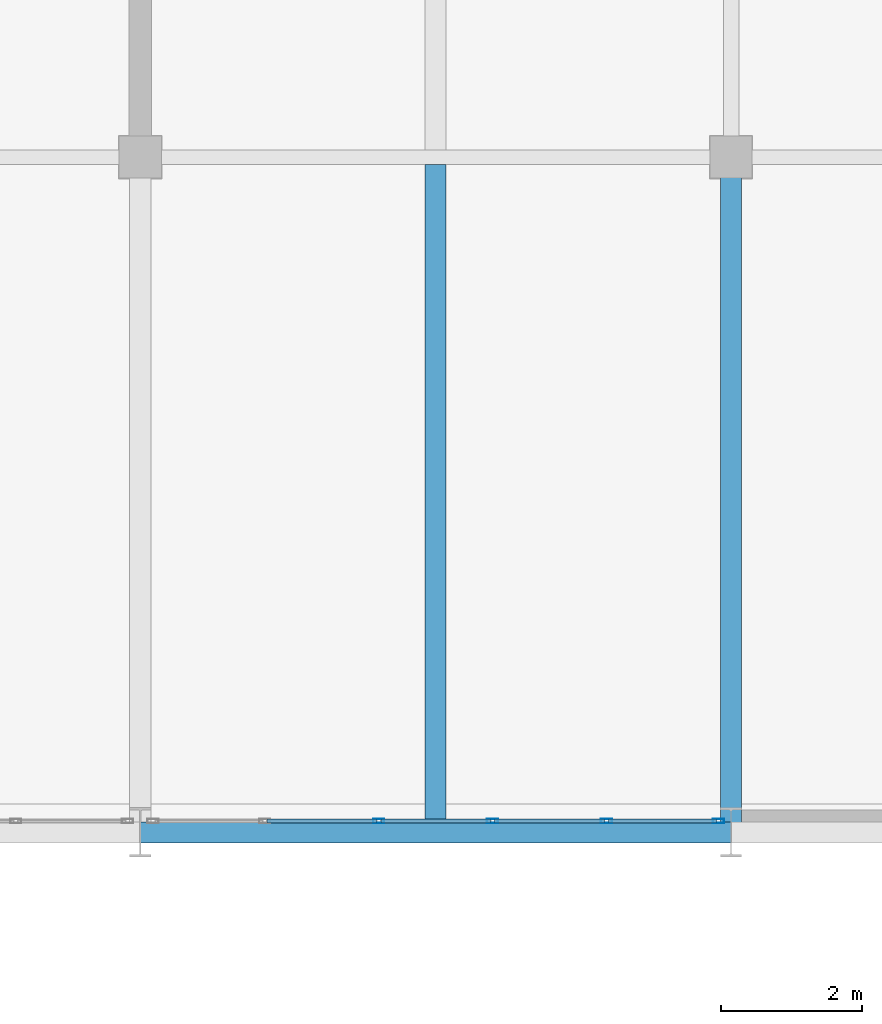
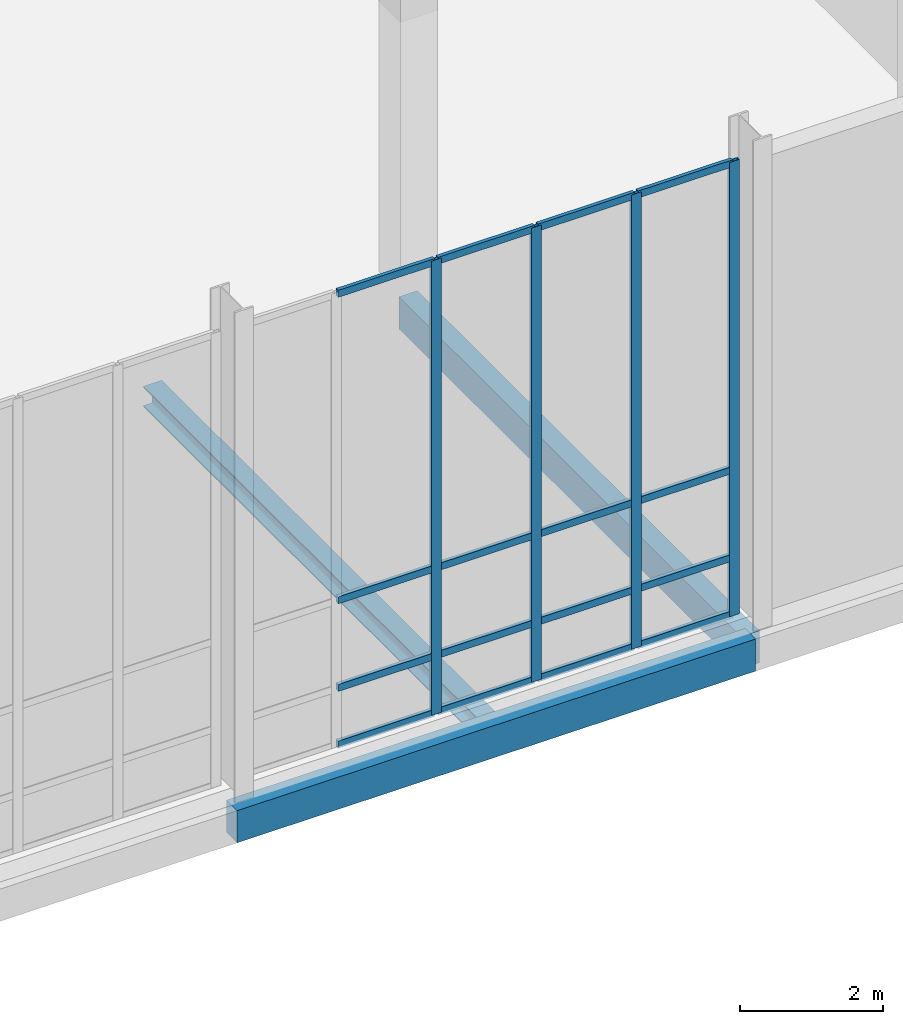
# One storey, part 82 of 131: 20 members, 3 beams, 1 element without a shape of its own.
"""IFC4 building model written with IfcOpenShell, lengths in metres."""

from ifc_helpers import new_model, si_unit, direction, frame, origin, origin_2d, place, context, subcontext, project, spatial, rectangle, hollow_rectangle, i_section, extrude, material, material_profile, profile_set, type_object, element, aggregate, save


model = new_model("IFC4")

# Units and contexts
model_context = context("Model", 3, precision=1e-05, world=origin(), true_north=direction((0.0, 1.0)))
body_context = subcontext(model_context, "Body", "Model", "MODEL_VIEW")
ifc_project = project(units=[si_unit("LENGTHUNIT", "METRE"), si_unit("AREAUNIT", "SQUARE_METRE"), si_unit("VOLUMEUNIT", "CUBIC_METRE"), si_unit("PLANEANGLEUNIT", "RADIAN"), si_unit("MASSUNIT", "GRAM", prefix="KILO")], contexts=[model_context])

# Site, building, storey
site_placement = place(None, origin())
site = spatial("IfcSite", under=ifc_project, at=site_placement, CompositionType="ELEMENT")
building_placement = place(site_placement, origin())
building = spatial("IfcBuilding", under=site, at=building_placement, Name="Veltarok Museum of Natural Sciences", CompositionType="ELEMENT")
storey_placement = place(building_placement, origin())
storey = spatial("IfcBuildingStorey", under=building, at=storey_placement, Name="L00", CompositionType="ELEMENT", Elevation=0.0)

# Curtain wall, members
ifc_material_1 = material(Name="Low-iron triple insulated glass", Category="glass")
curtain_wall_type = type_object("IfcCurtainWallType", Name="Curtain Wall System CW-V5S-L00-16-810x778 (V5 South Lab Curtain Wall L00 16-17 810x778cm)", PredefinedType="NOTDEFINED", material=ifc_material_1)
curtain_wall_placement = place(storey_placement, origin())
curtain_wall = element("IfcCurtainWall", 1, at=curtain_wall_placement, inside=storey, type_object=curtain_wall_type, Name="Curtain Wall CW-V5S-L00-16-810x778 CW-0087", PredefinedType="NOTDEFINED")
ifc_material_2 = material(Name="Thermally broken anodised aluminium", Category="aluminium")
ifc_material_profile_1 = material_profile(ifc_material_2, hollow_rectangle(XDim=0.06005859375, YDim=0.1201171875, WallThickness=0.0048828125, at=origin_2d()), Name="CW TRANSOM 60x120x5")
ifc_profile_set_1 = profile_set([ifc_material_profile_1], Name="Thermally broken anodised aluminium")
member_type_1 = type_object("IfcMemberType", Name="Curtain Wall Horizontal Transom 60x120x5", PredefinedType="USERDEFINED", material=ifc_profile_set_1)
member_1_placement = place(storey_placement, frame((134.199951171875, 0.159912109375, 0.030029296875), z_axis=(1.0, 0.0, 0.0), x_axis=(0.0, 1.0, 0.0)))
member_1 = element("IfcMember", 2, at=member_1_placement, type_object=member_type_1, Name="CW-V5S-L00-16-810x778 transom 2.1", ObjectType="TRANSOM", PredefinedType="USERDEFINED", context=body_context, shape_type="SweptSolid", body=[
    extrude(hollow_rectangle(XDim=0.06005859375, YDim=0.1201171875, WallThickness=0.0048828125, at=origin_2d()), origin(), (0.0, 0.0, 1.0), 1.56005859375),
])
member_2_placement = place(storey_placement, frame((134.199951171875, 0.159912109375, 1.0), z_axis=(1.0, 0.0, 0.0), x_axis=(0.0, 1.0, 0.0)))
member_2 = element("IfcMember", 3, at=member_2_placement, type_object=member_type_1, Name="CW-V5S-L00-16-810x778 transom 2.2", ObjectType="TRANSOM", PredefinedType="USERDEFINED", context=body_context, shape_type="SweptSolid", body=[
    extrude(hollow_rectangle(XDim=0.06005859375, YDim=0.1201171875, WallThickness=0.0048828125, at=origin_2d()), origin(), (0.0, 0.0, 1.0), 1.56005859375),
])
member_3_placement = place(storey_placement, frame((134.199951171875, 0.159912109375, 2.5), z_axis=(1.0, 0.0, 0.0), x_axis=(0.0, 1.0, 0.0)))
member_3 = element("IfcMember", 4, at=member_3_placement, type_object=member_type_1, Name="CW-V5S-L00-16-810x778 transom 2.3", ObjectType="TRANSOM", PredefinedType="USERDEFINED", context=body_context, shape_type="SweptSolid", body=[
    extrude(hollow_rectangle(XDim=0.06005859375, YDim=0.1201171875, WallThickness=0.0048828125, at=origin_2d()), origin(), (0.0, 0.0, 1.0), 1.56005859375),
])
member_4_placement = place(storey_placement, frame((134.199951171875, 0.159912109375, 7.75), z_axis=(1.0, 0.0, 0.0), x_axis=(0.0, 1.0, 0.0)))
member_4 = element("IfcMember", 5, at=member_4_placement, type_object=member_type_1, Name="CW-V5S-L00-16-810x778 transom 2.4", ObjectType="TRANSOM", PredefinedType="USERDEFINED", context=body_context, shape_type="SweptSolid", body=[
    extrude(hollow_rectangle(XDim=0.06005859375, YDim=0.1201171875, WallThickness=0.0048828125, at=origin_2d()), origin(), (0.0, 0.0, 1.0), 1.56005859375),
])
member_5_placement = place(storey_placement, frame((135.820068359375, 0.159912109375, 0.030029296875), z_axis=(1.0, 0.0, 0.0), x_axis=(0.0, 1.0, 0.0)))
member_5 = element("IfcMember", 6, at=member_5_placement, type_object=member_type_1, Name="CW-V5S-L00-16-810x778 transom 3.1", ObjectType="TRANSOM", PredefinedType="USERDEFINED", context=body_context, shape_type="SweptSolid", body=[
    extrude(hollow_rectangle(XDim=0.06005859375, YDim=0.1201171875, WallThickness=0.0048828125, at=origin_2d()), origin(), (0.0, 0.0, 1.0), 1.559814453125),
])
member_6_placement = place(storey_placement, frame((135.820068359375, 0.159912109375, 1.0), z_axis=(1.0, 0.0, 0.0), x_axis=(0.0, 1.0, 0.0)))
member_6 = element("IfcMember", 7, at=member_6_placement, type_object=member_type_1, Name="CW-V5S-L00-16-810x778 transom 3.2", ObjectType="TRANSOM", PredefinedType="USERDEFINED", context=body_context, shape_type="SweptSolid", body=[
    extrude(hollow_rectangle(XDim=0.06005859375, YDim=0.1201171875, WallThickness=0.0048828125, at=origin_2d()), origin(), (0.0, 0.0, 1.0), 1.559814453125),
])
member_7_placement = place(storey_placement, frame((135.820068359375, 0.159912109375, 2.5), z_axis=(1.0, 0.0, 0.0), x_axis=(0.0, 1.0, 0.0)))
member_7 = element("IfcMember", 8, at=member_7_placement, type_object=member_type_1, Name="CW-V5S-L00-16-810x778 transom 3.3", ObjectType="TRANSOM", PredefinedType="USERDEFINED", context=body_context, shape_type="SweptSolid", body=[
    extrude(hollow_rectangle(XDim=0.06005859375, YDim=0.1201171875, WallThickness=0.0048828125, at=origin_2d()), origin(), (0.0, 0.0, 1.0), 1.559814453125),
])
member_8_placement = place(storey_placement, frame((135.820068359375, 0.159912109375, 7.75), z_axis=(1.0, 0.0, 0.0), x_axis=(0.0, 1.0, 0.0)))
member_8 = element("IfcMember", 9, at=member_8_placement, type_object=member_type_1, Name="CW-V5S-L00-16-810x778 transom 3.4", ObjectType="TRANSOM", PredefinedType="USERDEFINED", context=body_context, shape_type="SweptSolid", body=[
    extrude(hollow_rectangle(XDim=0.06005859375, YDim=0.1201171875, WallThickness=0.0048828125, at=origin_2d()), origin(), (0.0, 0.0, 1.0), 1.559814453125),
])
member_9_placement = place(storey_placement, frame((137.43994140625, 0.159912109375, 0.030029296875), z_axis=(1.0, 0.0, 0.0), x_axis=(0.0, 1.0, 0.0)))
member_9 = element("IfcMember", 10, at=member_9_placement, type_object=member_type_1, Name="CW-V5S-L00-16-810x778 transom 4.1", ObjectType="TRANSOM", PredefinedType="USERDEFINED", context=body_context, shape_type="SweptSolid", body=[
    extrude(hollow_rectangle(XDim=0.06005859375, YDim=0.1201171875, WallThickness=0.0048828125, at=origin_2d()), origin(), (0.0, 0.0, 1.0), 1.56005859375),
])
member_10_placement = place(storey_placement, frame((137.43994140625, 0.159912109375, 1.0), z_axis=(1.0, 0.0, 0.0), x_axis=(0.0, 1.0, 0.0)))
member_10 = element("IfcMember", 11, at=member_10_placement, type_object=member_type_1, Name="CW-V5S-L00-16-810x778 transom 4.2", ObjectType="TRANSOM", PredefinedType="USERDEFINED", context=body_context, shape_type="SweptSolid", body=[
    extrude(hollow_rectangle(XDim=0.06005859375, YDim=0.1201171875, WallThickness=0.0048828125, at=origin_2d()), origin(), (0.0, 0.0, 1.0), 1.56005859375),
])
member_11_placement = place(storey_placement, frame((137.43994140625, 0.159912109375, 2.5), z_axis=(1.0, 0.0, 0.0), x_axis=(0.0, 1.0, 0.0)))
member_11 = element("IfcMember", 12, at=member_11_placement, type_object=member_type_1, Name="CW-V5S-L00-16-810x778 transom 4.3", ObjectType="TRANSOM", PredefinedType="USERDEFINED", context=body_context, shape_type="SweptSolid", body=[
    extrude(hollow_rectangle(XDim=0.06005859375, YDim=0.1201171875, WallThickness=0.0048828125, at=origin_2d()), origin(), (0.0, 0.0, 1.0), 1.56005859375),
])
member_12_placement = place(storey_placement, frame((137.43994140625, 0.159912109375, 7.75), z_axis=(1.0, 0.0, 0.0), x_axis=(0.0, 1.0, 0.0)))
member_12 = element("IfcMember", 13, at=member_12_placement, type_object=member_type_1, Name="CW-V5S-L00-16-810x778 transom 4.4", ObjectType="TRANSOM", PredefinedType="USERDEFINED", context=body_context, shape_type="SweptSolid", body=[
    extrude(hollow_rectangle(XDim=0.06005859375, YDim=0.1201171875, WallThickness=0.0048828125, at=origin_2d()), origin(), (0.0, 0.0, 1.0), 1.56005859375),
])
member_13_placement = place(storey_placement, frame((139.06005859375, 0.159912109375, 0.030029296875), z_axis=(1.0, 0.0, 0.0), x_axis=(0.0, 1.0, 0.0)))
member_13 = element("IfcMember", 14, at=member_13_placement, type_object=member_type_1, Name="CW-V5S-L00-16-810x778 transom 5.1", ObjectType="TRANSOM", PredefinedType="USERDEFINED", context=body_context, shape_type="SweptSolid", body=[
    extrude(hollow_rectangle(XDim=0.06005859375, YDim=0.1201171875, WallThickness=0.0048828125, at=origin_2d()), origin(), (0.0, 0.0, 1.0), 1.530029296875),
])
member_14_placement = place(storey_placement, frame((139.06005859375, 0.159912109375, 1.0), z_axis=(1.0, 0.0, 0.0), x_axis=(0.0, 1.0, 0.0)))
member_14 = element("IfcMember", 15, at=member_14_placement, type_object=member_type_1, Name="CW-V5S-L00-16-810x778 transom 5.2", ObjectType="TRANSOM", PredefinedType="USERDEFINED", context=body_context, shape_type="SweptSolid", body=[
    extrude(hollow_rectangle(XDim=0.06005859375, YDim=0.1201171875, WallThickness=0.0048828125, at=origin_2d()), origin(), (0.0, 0.0, 1.0), 1.530029296875),
])
member_15_placement = place(storey_placement, frame((139.06005859375, 0.159912109375, 2.5), z_axis=(1.0, 0.0, 0.0), x_axis=(0.0, 1.0, 0.0)))
member_15 = element("IfcMember", 16, at=member_15_placement, type_object=member_type_1, Name="CW-V5S-L00-16-810x778 transom 5.3", ObjectType="TRANSOM", PredefinedType="USERDEFINED", context=body_context, shape_type="SweptSolid", body=[
    extrude(hollow_rectangle(XDim=0.06005859375, YDim=0.1201171875, WallThickness=0.0048828125, at=origin_2d()), origin(), (0.0, 0.0, 1.0), 1.530029296875),
])
member_16_placement = place(storey_placement, frame((139.06005859375, 0.159912109375, 7.75), z_axis=(1.0, 0.0, 0.0), x_axis=(0.0, 1.0, 0.0)))
member_16 = element("IfcMember", 17, at=member_16_placement, type_object=member_type_1, Name="CW-V5S-L00-16-810x778 transom 5.4", ObjectType="TRANSOM", PredefinedType="USERDEFINED", context=body_context, shape_type="SweptSolid", body=[
    extrude(hollow_rectangle(XDim=0.06005859375, YDim=0.1201171875, WallThickness=0.0048828125, at=origin_2d()), origin(), (0.0, 0.0, 1.0), 1.530029296875),
])
ifc_material_profile_2 = material_profile(ifc_material_2, hollow_rectangle(XDim=0.06005859375, YDim=0.159912109375, WallThickness=0.0048828125, at=origin_2d()), Name="CW MULLION 60x160x5")
ifc_profile_set_2 = profile_set([ifc_material_profile_2], Name="Thermally broken anodised aluminium")
member_type_2 = type_object("IfcMemberType", Name="Curtain Wall Vertical Mullion 60x160x5", PredefinedType="MULLION", material=ifc_profile_set_2)
member_17_placement = place(storey_placement, frame((135.7900390625, 0.159912109375, 0.0), z_axis=(0.0, 0.0, 1.0), x_axis=(0.0, 1.0, 0.0)))
member_17 = element("IfcMember", 18, at=member_17_placement, type_object=member_type_2, Name="CW-V5S-L00-16-810x778 mullion 3", PredefinedType="MULLION", context=body_context, shape_type="SweptSolid", body=[
    extrude(hollow_rectangle(XDim=0.06005859375, YDim=0.159912109375, WallThickness=0.0048828125, at=origin_2d()), origin(), (0.0, 0.0, 1.0), 7.780029296875),
])
member_18_placement = place(storey_placement, frame((137.409912109375, 0.159912109375, 0.0), z_axis=(0.0, 0.0, 1.0), x_axis=(0.0, 1.0, 0.0)))
member_18 = element("IfcMember", 19, at=member_18_placement, type_object=member_type_2, Name="CW-V5S-L00-16-810x778 mullion 4", PredefinedType="MULLION", context=body_context, shape_type="SweptSolid", body=[
    extrude(hollow_rectangle(XDim=0.06005859375, YDim=0.159912109375, WallThickness=0.0048828125, at=origin_2d()), origin(), (0.0, 0.0, 1.0), 7.780029296875),
])
member_19_placement = place(storey_placement, frame((139.030029296875, 0.159912109375, 0.0), z_axis=(0.0, 0.0, 1.0), x_axis=(0.0, 1.0, 0.0)))
member_19 = element("IfcMember", 20, at=member_19_placement, type_object=member_type_2, Name="CW-V5S-L00-16-810x778 mullion 5", PredefinedType="MULLION", context=body_context, shape_type="SweptSolid", body=[
    extrude(hollow_rectangle(XDim=0.06005859375, YDim=0.159912109375, WallThickness=0.0048828125, at=origin_2d()), origin(), (0.0, 0.0, 1.0), 7.780029296875),
])
member_20_placement = place(storey_placement, frame((140.6201171875, 0.159912109375, 0.0), z_axis=(0.0, 0.0, 1.0), x_axis=(0.0, 1.0, 0.0)))
member_20 = element("IfcMember", 21, at=member_20_placement, type_object=member_type_2, Name="CW-V5S-L00-16-810x778 mullion 6", PredefinedType="MULLION", context=body_context, shape_type="SweptSolid", body=[
    extrude(hollow_rectangle(XDim=0.06005859375, YDim=0.159912109375, WallThickness=0.0048828125, at=origin_2d()), origin(), (0.0, 0.0, 1.0), 7.780029296875),
])
aggregate(curtain_wall, [member_17, member_18, member_19, member_20, member_1, member_2, member_3, member_4, member_5, member_6, member_7, member_8, member_9, member_10, member_11, member_12, member_13, member_14, member_15, member_16])

# Beams
ifc_material_3 = material(Name="Precast concrete C40/50", Category="concrete")
ifc_material_profile_3 = material_profile(ifc_material_3, rectangle(XDim=0.300048828125, YDim=0.550048828125, at=origin_2d()), Name="RC 300x550")
ifc_profile_set_3 = profile_set([ifc_material_profile_3], Name="Precast concrete C40/50")
beam_type_1 = type_object("IfcBeamType", Name="East Wing Precast Spandrel RC 300x550", PredefinedType="SPANDREL", material=ifc_profile_set_3)
beam_1_placement = place(storey_placement, frame((132.39990234375, 0.0, -0.574951171875), z_axis=(1.0, 0.0, 0.0), x_axis=(0.0, 1.0, 0.0)))
element("IfcBeam", 22, at=beam_1_placement, inside=storey, type_object=beam_type_1, Name="Beam BM-SP02 L00 16-17/A", PredefinedType="SPANDREL", context=body_context, shape_type="SweptSolid", body=[
    extrude(rectangle(XDim=0.300048828125, YDim=0.550048828125, at=origin_2d()), origin(), (0.0, 0.0, 1.0), 8.400146484375),
])
beam_2_placement = place(storey_placement, frame((140.800048828125, 0.0, -0.574951171875), z_axis=(0.0, 1.0, 0.0), x_axis=(-1.0, 0.0, 0.0)))
element("IfcBeam", 23, at=beam_2_placement, inside=storey, type_object=beam_type_1, Name="Beam BM-SP02 L00 17/A-B", PredefinedType="SPANDREL", context=body_context, shape_type="SweptSolid", body=[
    extrude(rectangle(XDim=0.300048828125, YDim=0.550048828125, at=origin_2d()), origin(), (0.0, 0.0, 1.0), 9.60009765625),
])
ifc_material_4 = material(Name="Steel S355J2", Category="steel")
ifc_material_profile_4 = material_profile(ifc_material_4, i_section(OverallWidth=0.300048828125, OverallDepth=0.35009765625, WebThickness=0.010009765625, FlangeThickness=0.017578125, FilletRadius=0.027099609375, at=origin_2d()), Name="HEA 360")
ifc_profile_set_4 = profile_set([ifc_material_profile_4], Name="Steel S355J2")
beam_type_2 = type_object("IfcBeamType", Name="Long-Span Gallery Joist HEA 360", PredefinedType="JOIST", material=ifc_profile_set_4)
beam_3_placement = place(storey_placement, frame((136.60009765625, 0.14794921875, -0.47509765625), z_axis=(0.0, 1.0, 0.0), x_axis=(-1.0, 0.0, 0.0)))
element("IfcBeam", 24, at=beam_3_placement, inside=storey, type_object=beam_type_2, Name="Secondary Joist BM-J07 L00 16-17/A-B.1", PredefinedType="JOIST", context=body_context, shape_type="SweptSolid", body=[
    extrude(i_section(OverallWidth=0.300048828125, OverallDepth=0.35009765625, WebThickness=0.010009765625, FlangeThickness=0.017578125, FilletRadius=0.027099609375, at=origin_2d()), origin(), (0.0, 0.0, 1.0), 9.34912109375),
])

save(model, "model.ifc")
